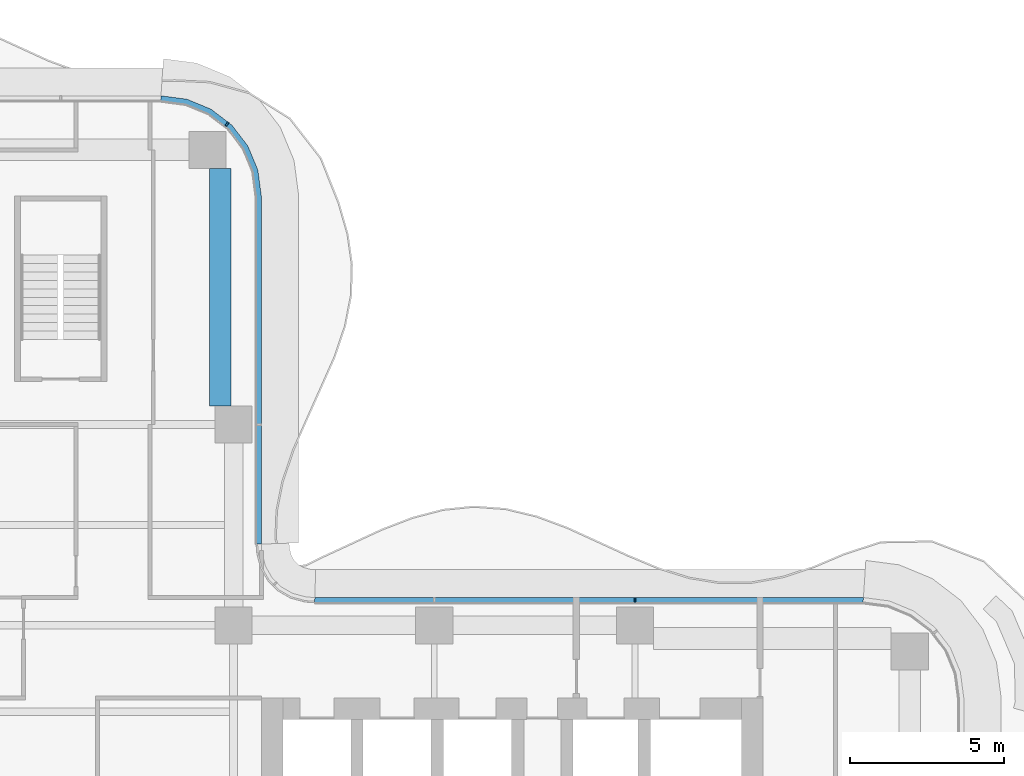
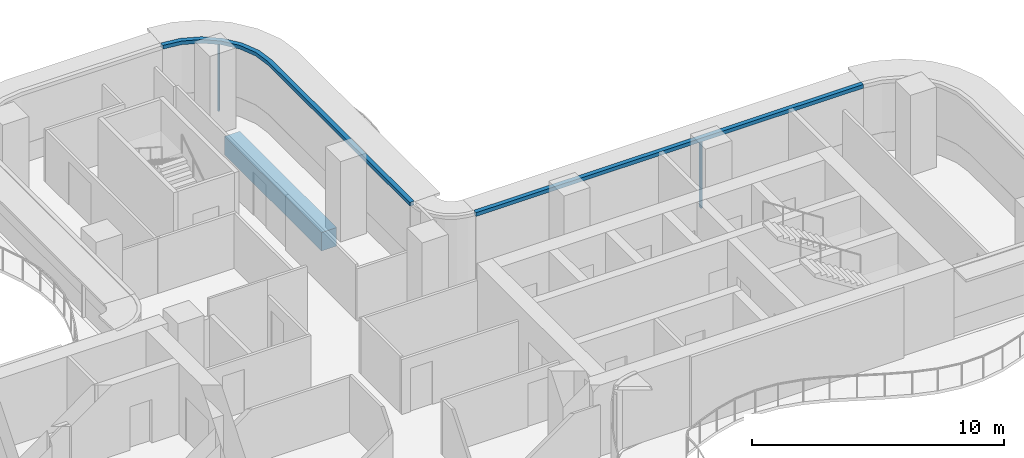
# One storey, part 8 of 17: 4 members, 1 beam, 2 elements without a shape of their own.
"""IFC4 building model written with IfcOpenShell, lengths in metres."""

from ifc_helpers import new_model, si_unit, direction, frame, origin, origin_2d, place, context, subcontext, project, spatial, polyline, rectangle, outline, extrude, source, transform, mapped, material, layer, layer_set, material_profile, profile_set, type_object, element, aggregate, save


model = new_model("IFC4")

# Units and contexts
model_context = context("Model", 3, precision=1e-05, world=origin(), true_north=direction((0.0, 1.0)))
body_context = subcontext(model_context, "Body", "Model", "MODEL_VIEW")
ifc_project = project(units=[si_unit("LENGTHUNIT", "METRE"), si_unit("AREAUNIT", "SQUARE_METRE"), si_unit("VOLUMEUNIT", "CUBIC_METRE"), si_unit("PLANEANGLEUNIT", "RADIAN"), si_unit("MASSUNIT", "GRAM", prefix="KILO")], contexts=[model_context])

# Site, building, storey
site_placement = place(None, origin())
site = spatial("IfcSite", under=ifc_project, at=site_placement, CompositionType="ELEMENT")
building_placement = place(site_placement, origin())
building = spatial("IfcBuilding", under=site, at=building_placement, Name="Trellis Farm Tower", CompositionType="ELEMENT")
storey_placement = place(building_placement, frame((0.0, 0.0, 208.800048828125)))
storey = spatial("IfcBuildingStorey", under=building, at=storey_placement, Name="L46", CompositionType="ELEMENT", Elevation=208.800048828125)

# Beam
ifc_material_1 = material(Name="Concrete C60/75", Category="concrete")
ifc_material_profile_1 = material_profile(ifc_material_1, rectangle(XDim=0.699951171875, YDim=0.89990234375, at=origin_2d()), Name="RC spandrel beam 700x900 C60/75")
ifc_profile_set_1 = profile_set([ifc_material_profile_1], Name="Concrete C60/75")
beam_type = type_object("IfcBeamType", Name="RC spandrel beam 700x900 C60/75", PredefinedType="SPANDREL", material=ifc_profile_set_1)
shared_shape_1 = source(origin(), body_context, "Body", "SweptSolid", [
    extrude(rectangle(XDim=0.699951171875, YDim=0.89990234375, at=origin_2d()), origin(), (0.0, 0.0, 1.0), 7.699951171875),
])
beam_placement = place(storey_placement, frame((5.175048828125, 12.699951171875, -0.650146484375), z_axis=(0.0, 1.0, 0.0), x_axis=(-1.0, 0.0, 0.0)))
element("IfcBeam", 1, at=beam_placement, inside=storey, type_object=beam_type, Name="Girder", PredefinedType="SPANDREL", context=body_context, shape_type="MappedRepresentation", body=[
    mapped(shared_shape_1, transform((0.0, 0.0, 0.0))),
])

# Curtain wall, member
ifc_material_2 = material(Name="Aluminium and glass curtain wall", Category="aluminium")
ifc_layer_1 = layer(ifc_material_2, 0.18994140625)
ifc_layer_set_1 = layer_set([ifc_layer_1], Name="RIBBON CURTAIN WALL CW1")
curtain_wall_type = type_object("IfcCurtainWallType", Name="RIBBON CURTAIN WALL CW1", PredefinedType="NOTDEFINED", material=ifc_layer_set_1)
placement_1 = place(storey_placement, origin())
curtain_wall_1 = element("IfcCurtainWall", 2, at=placement_1, inside=storey, type_object=curtain_wall_type, Name="CW1 008", PredefinedType="NOTDEFINED")
ifc_material_3 = material(Name="Aluminium extrusion 6063-T6", Category="aluminium")
ifc_layer_2 = layer(ifc_material_3, 0.199951171875)
ifc_layer_set_2 = layer_set([ifc_layer_2], Name="Aluminium extrusion 6063-T6")
member_type_1 = type_object("IfcMemberType", Name="CW1 TRANSOM 200x180", PredefinedType="USERDEFINED", material=ifc_layer_set_2)
shared_shape_2 = source(origin(), body_context, "Body", "SweptSolid", [
    extrude(outline(polyline([(26.0, 6.5), (8.2314453125, 6.5), (8.224853515625, 6.300048828125), (25.98681640625, 6.300048828125), (26.0, 6.5)])), origin(), (0.0, 0.0, 1.0), 0.179931640625),
])
placement_2 = place(storey_placement, frame((0.0, 0.0, 3.27001953125)))
member_1 = element("IfcMember", 3, at=placement_2, type_object=member_type_1, Name="TR1 008", ObjectType="TRANSOM", PredefinedType="USERDEFINED", context=body_context, shape_type="MappedRepresentation", body=[
    mapped(shared_shape_2, transform((0.0, 0.0, 0.0))),
])

curtain_wall_2 = element("IfcCurtainWall", 4, at=placement_1, inside=storey, type_object=curtain_wall_type, Name="CW1 009", PredefinedType="NOTDEFINED")
shared_shape_3 = source(origin(), body_context, "Body", "SweptSolid", [
    extrude(outline(polyline([(6.5, 8.2314453125), (6.5, 19.5), (6.38916015625, 20.341064453125), (6.064697265625, 21.125), (5.548095703125, 21.798095703125), (4.875, 22.314697265625), (4.091064453125, 22.63916015625), (3.25, 22.75), (3.23681640625, 22.550048828125), (4.0390625, 22.4443359375), (4.774169921875, 22.139892578125), (5.405517578125, 21.655517578125), (5.889892578125, 21.024169921875), (6.1943359375, 20.2890625), (6.300048828125, 19.48681640625), (6.300048828125, 8.224853515625), (6.5, 8.2314453125)])), origin(), (0.0, 0.0, 1.0), 0.179931640625),
])
member_2 = element("IfcMember", 5, at=placement_2, type_object=member_type_1, Name="TR1 009", ObjectType="TRANSOM", PredefinedType="USERDEFINED", context=body_context, shape_type="MappedRepresentation", body=[
    mapped(shared_shape_3, transform((0.0, 0.0, 0.0))),
])

# Member
ifc_material_profile_2 = material_profile(ifc_material_3, rectangle(XDim=0.06005859375, YDim=0.14990234375, at=origin_2d()), Name="MULLION 60x150")
ifc_profile_set_2 = profile_set([ifc_material_profile_2], Name="Aluminium extrusion 6063-T6")
member_type_2 = type_object("IfcMemberType", Name="CW1 MULLION 60x150", PredefinedType="MULLION", material=ifc_profile_set_2)
shared_shape_4 = source(origin(), body_context, "Body", "SweptSolid", [
    extrude(rectangle(XDim=0.06005859375, YDim=0.14990234375, at=origin_2d()), origin(), (0.0, 0.0, 1.0), 3.27001953125),
])
member_3_placement = place(storey_placement, frame((18.60009765625, 6.425048828125, 0.0), z_axis=(0.0, 0.0, 1.0), x_axis=(-1.0, 0.0, 0.0)))
member_3 = element("IfcMember", 6, at=member_3_placement, type_object=member_type_2, Name="MU1 008-01", PredefinedType="MULLION", context=body_context, shape_type="MappedRepresentation", body=[
    mapped(shared_shape_4, transform((0.0, 0.0, 0.0))),
])

aggregate(curtain_wall_1, [member_3, member_1])

member_4_placement = place(storey_placement, frame((5.385498046875, 21.828369140625, 0.0), z_axis=(0.0, 0.0, 1.0), x_axis=(-0.793353340291, 0.608761429009, 0.0)))
member_4 = element("IfcMember", 7, at=member_4_placement, type_object=member_type_2, Name="MU1 009-02", PredefinedType="MULLION", context=body_context, shape_type="MappedRepresentation", body=[
    mapped(shared_shape_4, transform((0.0, 0.0, 0.0))),
])

aggregate(curtain_wall_2, [member_4, member_2])

save(model, "model.ifc")
